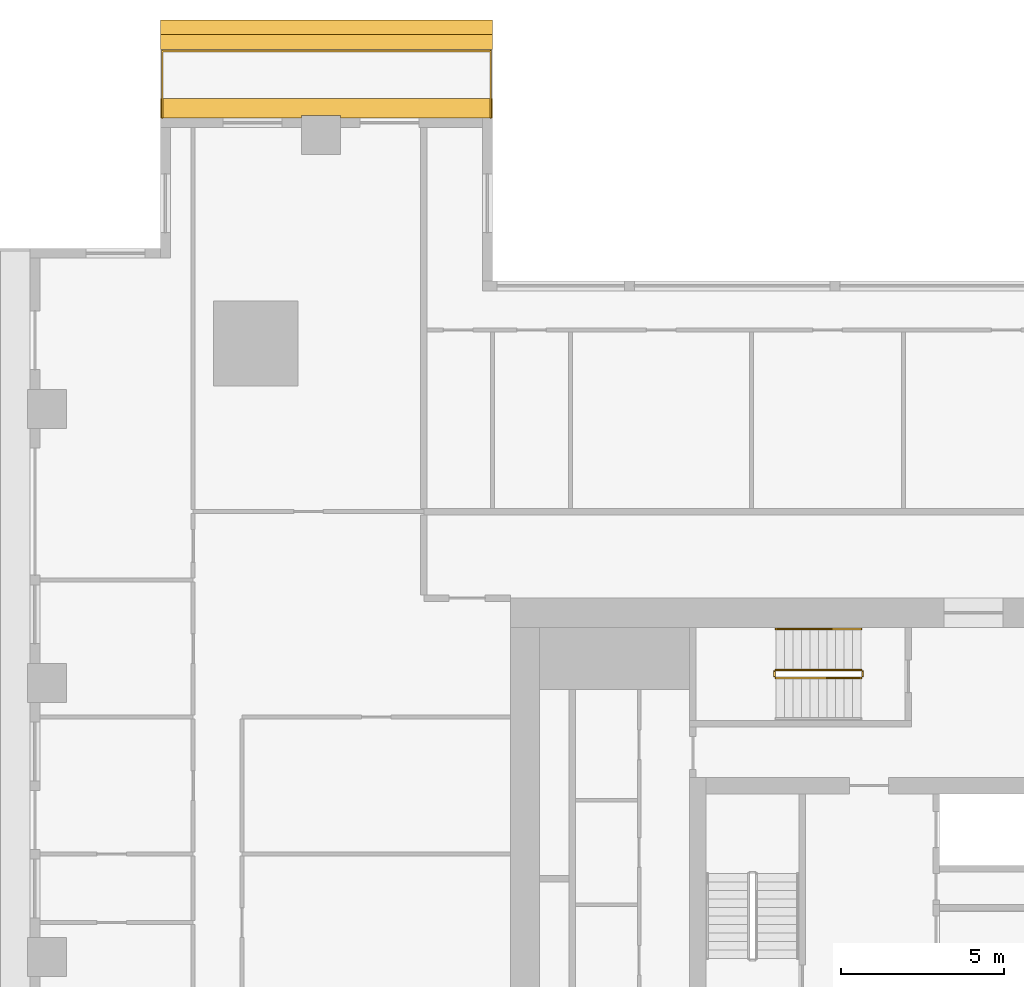
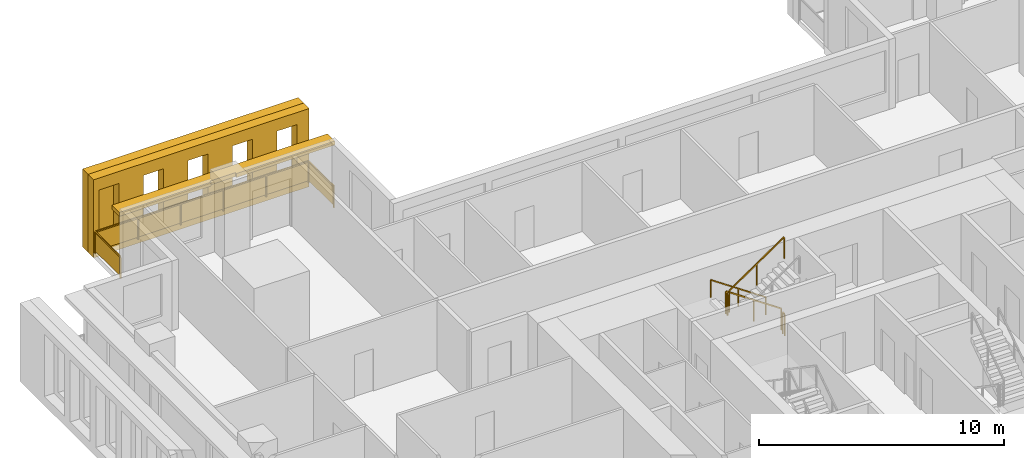
# One storey, part 15 of 16: 6 railings, 3 shading devices.
"""IFC4 building model written with IfcOpenShell, lengths in metres."""

from ifc_helpers import new_model, si_unit, direction, frame, origin, origin_2d, place, context, subcontext, project, spatial, polyline, rectangle, outline, extrude, material, layer, layer_set, type_object, element, save


model = new_model("IFC4")

# Units and contexts
model_context = context("Model", 3, precision=1e-05, world=origin(), true_north=direction((0.0, 1.0)))
body_context = subcontext(model_context, "Body", "Model", "MODEL_VIEW")
ifc_project = project(units=[si_unit("LENGTHUNIT", "METRE"), si_unit("AREAUNIT", "SQUARE_METRE"), si_unit("VOLUMEUNIT", "CUBIC_METRE"), si_unit("PLANEANGLEUNIT", "RADIAN"), si_unit("MASSUNIT", "GRAM", prefix="KILO")], contexts=[model_context])

# Site, building, storey
site_placement = place(None, origin())
site = spatial("IfcSite", under=ifc_project, at=site_placement, CompositionType="ELEMENT")
building_placement = place(site_placement, origin())
building = spatial("IfcBuilding", under=site, at=building_placement, Name="Khepri Terraces", CompositionType="ELEMENT")
storey_placement = place(building_placement, frame((0.0, 0.0, 168.89990234375)))
storey = spatial("IfcBuildingStorey", under=building, at=storey_placement, Name="L40", CompositionType="ELEMENT", Elevation=168.89990234375)

# Railings
ifc_material_1 = material(Name="Stainless steel grade 316", Category="steel")
railing_type_1 = type_object("IfcRailingType", Name="GRD-BAL-1100", PredefinedType="GUARDRAIL", material=ifc_material_1)
railing_1_placement = place(storey_placement, frame((-11.60009765625, 25.719970703125, 0.0)))
element("IfcRailing", 1, at=railing_1_placement, inside=storey, type_object=railing_type_1, Name="Balcony guard L40 N", PredefinedType="GUARDRAIL", context=body_context, shape_type="SweptSolid", body=[
    extrude(rectangle(XDim=0.050048828125, YDim=0.06005859375, at=origin_2d()), frame((0.0, 0.0, 1.070068359375), z_axis=(0.0, 1.0, 0.0), x_axis=(-1.0, 0.0, 0.0)), (0.0, 0.0, 1.0), 2.050048828125),
    extrude(rectangle(XDim=2.0, YDim=0.011962890625, at=origin_2d()), frame((0.0, 1.02490234375, 0.10009765625), z_axis=(0.0, 0.0, 1.0), x_axis=(0.0, 1.0, 0.0)), (0.0, 0.0, 1.0), 0.93994140625),
    extrude(rectangle(XDim=0.050048828125, YDim=0.06005859375, at=origin_2d()), frame((0.0, 2.050048828125, 1.070068359375), z_axis=(-1.0, 0.0, 0.0), x_axis=(0.0, -1.0, 0.0)), (0.0, 0.0, 1.0), 10.06982421875),
    extrude(rectangle(XDim=1.9638671875, YDim=0.011962890625, at=origin_2d()), frame((-1.007080078125, 2.050048828125, 0.10009765625), z_axis=(0.0, 0.0, 1.0), x_axis=(-1.0, 0.0, 0.0)), (0.0, 0.0, 1.0), 0.93994140625),
    extrude(rectangle(XDim=1.9638671875, YDim=0.011962890625, at=origin_2d()), frame((-3.02099609375, 2.050048828125, 0.10009765625), z_axis=(0.0, 0.0, 1.0), x_axis=(-1.0, 0.0, 0.0)), (0.0, 0.0, 1.0), 0.93994140625),
    extrude(rectangle(XDim=1.9638671875, YDim=0.011962890625, at=origin_2d()), frame((-5.034912109375, 2.050048828125, 0.10009765625), z_axis=(0.0, 0.0, 1.0), x_axis=(-1.0, 0.0, 0.0)), (0.0, 0.0, 1.0), 0.93994140625),
    extrude(rectangle(XDim=1.9638671875, YDim=0.011962890625, at=origin_2d()), frame((-7.048828125, 2.050048828125, 0.10009765625), z_axis=(0.0, 0.0, 1.0), x_axis=(-1.0, 0.0, 0.0)), (0.0, 0.0, 1.0), 0.93994140625),
    extrude(rectangle(XDim=1.9638671875, YDim=0.011962890625, at=origin_2d()), frame((-9.062744140625, 2.050048828125, 0.10009765625), z_axis=(0.0, 0.0, 1.0), x_axis=(-1.0, 0.0, 0.0)), (0.0, 0.0, 1.0), 0.93994140625),
    extrude(rectangle(XDim=0.050048828125, YDim=0.06005859375, at=origin_2d()), frame((-10.06982421875, 2.050048828125, 1.070068359375), z_axis=(0.0, -1.0, 0.0), x_axis=(1.0, 0.0, 0.0)), (0.0, 0.0, 1.0), 2.050048828125),
    extrude(rectangle(XDim=2.0, YDim=0.011962890625, at=origin_2d()), frame((-10.06982421875, 1.02490234375, 0.10009765625), z_axis=(0.0, 0.0, 1.0), x_axis=(0.0, -1.0, 0.0)), (0.0, 0.0, 1.0), 0.93994140625),
    extrude(rectangle(XDim=0.050048828125, YDim=0.050048828125, at=origin_2d()), origin(), (0.0, 0.0, 1.0), 1.0400390625),
    extrude(rectangle(XDim=0.050048828125, YDim=0.050048828125, at=origin_2d()), frame((0.0, 2.050048828125, 0.0)), (0.0, 0.0, 1.0), 1.0400390625),
    extrude(rectangle(XDim=0.050048828125, YDim=0.050048828125, at=origin_2d()), frame((-2.013916015625, 2.050048828125, 0.0)), (0.0, 0.0, 1.0), 1.0400390625),
    extrude(rectangle(XDim=0.050048828125, YDim=0.050048828125, at=origin_2d()), frame((-4.02783203125, 2.050048828125, 0.0)), (0.0, 0.0, 1.0), 1.0400390625),
    extrude(rectangle(XDim=0.050048828125, YDim=0.050048828125, at=origin_2d()), frame((-6.0419921875, 2.050048828125, 0.0)), (0.0, 0.0, 1.0), 1.0400390625),
    extrude(rectangle(XDim=0.050048828125, YDim=0.050048828125, at=origin_2d()), frame((-8.055908203125, 2.050048828125, 0.0)), (0.0, 0.0, 1.0), 1.0400390625),
    extrude(rectangle(XDim=0.050048828125, YDim=0.050048828125, at=origin_2d()), frame((-10.06982421875, 2.050048828125, 0.0)), (0.0, 0.0, 1.0), 1.0400390625),
    extrude(rectangle(XDim=0.050048828125, YDim=0.050048828125, at=origin_2d()), frame((-10.06982421875, 0.0, 0.0)), (0.0, 0.0, 1.0), 1.0400390625),
])
ifc_material_2 = material(Name="Stainless steel 316", Category="steel")
railing_type_2 = type_object("IfcRailingType", Name="RL-CORE-GUARD", PredefinedType="GUARDRAIL", material=ifc_material_2)
railing_2_placement = place(storey_placement, frame((-0.25, 8.800048828125, 0.177490234375)))
element("IfcRailing", 2, at=railing_2_placement, inside=storey, type_object=railing_type_2, Name="L40 ST-3 stair guard 1", PredefinedType="GUARDRAIL", context=body_context, shape_type="SweptSolid", body=[
    extrude(rectangle(XDim=0.050048828125, YDim=0.06005859375, at=origin_2d()), frame((0.0, 0.0, 1.070068359375), z_axis=(-0.826240473404, 0.0, 0.563317565952), x_axis=(0.0, -1.0, 0.0)), (0.0, 0.0, 1.0), 3.14697265625),
    extrude(rectangle(XDim=0.050048828125, YDim=0.050048828125, at=origin_2d()), origin(), (0.0, 0.0, 1.0), 1.0400390625),
    extrude(rectangle(XDim=0.050048828125, YDim=0.050048828125, at=origin_2d()), frame((-1.300048828125, 0.0, 0.88623046875)), (0.0, 0.0, 1.0), 1.0400390625),
    extrude(rectangle(XDim=0.050048828125, YDim=0.050048828125, at=origin_2d()), frame((-2.60009765625, 0.0, 1.772705078125)), (0.0, 0.0, 1.0), 1.0400390625),
])
railing_3_placement = place(storey_placement, frame((-2.89990234375, 8.75, 1.9501953125)))
element("IfcRailing", 3, at=railing_3_placement, inside=storey, type_object=railing_type_2, Name="L40 ST-3 stair guard 2", PredefinedType="GUARDRAIL", context=body_context, shape_type="SweptSolid", body=[
    extrude(rectangle(XDim=0.050048828125, YDim=0.06005859375, at=origin_2d()), frame((0.0, 0.0, 1.070068359375), z_axis=(0.0, -1.0, 0.0), x_axis=(1.0, 0.0, 0.0)), (0.0, 0.0, 1.0), 0.14990234375),
    extrude(rectangle(XDim=0.050048828125, YDim=0.050048828125, at=origin_2d()), origin(), (0.0, 0.0, 1.0), 1.0400390625),
    extrude(rectangle(XDim=0.050048828125, YDim=0.050048828125, at=origin_2d()), frame((0.0, -0.14990234375, 0.0)), (0.0, 0.0, 1.0), 1.0400390625),
])
railing_4_placement = place(storey_placement, frame((-2.85009765625, 8.550048828125, 2.12744140625)))
element("IfcRailing", 4, at=railing_4_placement, inside=storey, type_object=railing_type_2, Name="L40 ST-3 stair guard 3", PredefinedType="GUARDRAIL", context=body_context, shape_type="SweptSolid", body=[
    extrude(rectangle(XDim=0.050048828125, YDim=0.06005859375, at=origin_2d()), frame((0.0, 0.0, 1.070068359375), z_axis=(0.826240473404, 0.0, 0.563317565952), x_axis=(0.0, 1.0, 0.0)), (0.0, 0.0, 1.0), 3.14697265625),
    extrude(rectangle(XDim=0.050048828125, YDim=0.050048828125, at=origin_2d()), origin(), (0.0, 0.0, 1.0), 1.0400390625),
    extrude(rectangle(XDim=0.050048828125, YDim=0.050048828125, at=origin_2d()), frame((1.300048828125, 0.0, 0.88623046875)), (0.0, 0.0, 1.0), 1.0400390625),
    extrude(rectangle(XDim=0.050048828125, YDim=0.050048828125, at=origin_2d()), frame((2.60009765625, 0.0, 1.772705078125)), (0.0, 0.0, 1.0), 1.0400390625),
])
railing_5_placement = place(storey_placement, frame((-0.199951171875, 8.75, 0.0)))
element("IfcRailing", 5, at=railing_5_placement, inside=storey, type_object=railing_type_2, Name="L40 ST-3 stair guard 4", PredefinedType="GUARDRAIL", context=body_context, shape_type="SweptSolid", body=[
    extrude(rectangle(XDim=0.050048828125, YDim=0.06005859375, at=origin_2d()), frame((0.0, 0.0, 1.070068359375), z_axis=(0.0, -1.0, 0.0), x_axis=(1.0, 0.0, 0.0)), (0.0, 0.0, 1.0), 0.14990234375),
    extrude(rectangle(XDim=0.050048828125, YDim=0.050048828125, at=origin_2d()), origin(), (0.0, 0.0, 1.0), 1.0400390625),
    extrude(rectangle(XDim=0.050048828125, YDim=0.050048828125, at=origin_2d()), frame((0.0, -0.14990234375, 0.0)), (0.0, 0.0, 1.0), 1.0400390625),
])
railing_type_3 = type_object("IfcRailingType", Name="RL-CORE-HANDRAIL", PredefinedType="HANDRAIL", material=ifc_material_2)
railing_6_placement = place(storey_placement, frame((-0.25, 10.050048828125, 0.177490234375)))
element("IfcRailing", 6, at=railing_6_placement, inside=storey, type_object=railing_type_3, Name="L40 ST-3 stair handrail 1", PredefinedType="HANDRAIL", context=body_context, shape_type="SweptSolid", body=[
    extrude(rectangle(XDim=0.050048828125, YDim=0.050048828125, at=origin_2d()), frame((0.0, 0.0, 0.875), z_axis=(-0.826240473404, 0.0, 0.563317565952), x_axis=(0.0, -1.0, 0.0)), (0.0, 0.0, 1.0), 3.14697265625),
    extrude(rectangle(XDim=0.050048828125, YDim=0.050048828125, at=origin_2d()), origin(), (0.0, 0.0, 1.0), 0.849853515625),
    extrude(rectangle(XDim=0.050048828125, YDim=0.050048828125, at=origin_2d()), frame((-1.300048828125, 0.0, 0.88623046875)), (0.0, 0.0, 1.0), 0.849853515625),
    extrude(rectangle(XDim=0.050048828125, YDim=0.050048828125, at=origin_2d()), frame((-2.60009765625, 0.0, 1.772705078125)), (0.0, 0.0, 1.0), 0.849853515625),
])

# Shading devices
ifc_material_3 = material(Name="Precast concrete C50/60 warm stone", Category="masonry")
shading_device_type_1 = type_object("IfcShadingDeviceType", Name="SCR-CELL-INNER-450", PredefinedType="USERDEFINED", material=ifc_material_3)
shading_device_1_placement = place(storey_placement, frame((-11.550048828125, 27.820068359375, -0.25), z_axis=(0.0, 1.0, 0.0), x_axis=(-1.0, 0.0, 0.0)))
element("IfcShadingDevice", 7, at=shading_device_1_placement, inside=storey, type_object=shading_device_type_1, Name="Cell screen L40 N in", ObjectType="SCREEN", PredefinedType="USERDEFINED", context=body_context, shape_type="SweptSolid", body=[
    extrude(outline(polyline([(0.0, 0.0), (10.169921875, 0.0), (10.169921875, 3.89990234375), (0.0, 3.89990234375), (0.0, 0.0)]), holes=[polyline([(0.577392578125, 0.699951171875), (1.5224609375, 0.699951171875), (1.5224609375, 3.300048828125), (0.577392578125, 3.300048828125), (0.577392578125, 0.699951171875)]), polyline([(2.677490234375, 0.699951171875), (3.62255859375, 0.699951171875), (3.62255859375, 3.300048828125), (2.677490234375, 3.300048828125), (2.677490234375, 0.699951171875)]), polyline([(4.777587890625, 0.699951171875), (5.722412109375, 0.699951171875), (5.722412109375, 3.300048828125), (4.777587890625, 3.300048828125), (4.777587890625, 0.699951171875)]), polyline([(6.87744140625, 0.699951171875), (7.822509765625, 0.699951171875), (7.822509765625, 3.300048828125), (6.87744140625, 3.300048828125), (6.87744140625, 0.699951171875)]), polyline([(8.9775390625, 0.699951171875), (9.922607421875, 0.699951171875), (9.922607421875, 3.300048828125), (8.9775390625, 3.300048828125), (8.9775390625, 0.699951171875)])]), origin(), (0.0, 0.0, 1.0), 0.449951171875),
])
shading_device_type_2 = type_object("IfcShadingDeviceType", Name="SCR-CELL-OUTER-450", PredefinedType="USERDEFINED", material=ifc_material_3)
shading_device_2_placement = place(storey_placement, frame((-11.550048828125, 28.27001953125, -0.25), z_axis=(0.0, 1.0, 0.0), x_axis=(-1.0, 0.0, 0.0)))
element("IfcShadingDevice", 8, at=shading_device_2_placement, inside=storey, type_object=shading_device_type_2, Name="Cell screen L40 N out", ObjectType="SCREEN", PredefinedType="USERDEFINED", context=body_context, shape_type="SweptSolid", body=[
    extrude(outline(polyline([(0.0, 0.0), (10.169921875, 0.0), (10.169921875, 3.89990234375), (0.0, 3.89990234375), (0.0, 0.0)]), holes=[polyline([(0.2275390625, 0.449951171875), (1.87255859375, 0.449951171875), (1.87255859375, 3.550048828125), (0.2275390625, 3.550048828125), (0.2275390625, 0.449951171875)]), polyline([(2.327392578125, 0.449951171875), (3.972412109375, 0.449951171875), (3.972412109375, 3.550048828125), (2.327392578125, 3.550048828125), (2.327392578125, 0.449951171875)]), polyline([(4.427490234375, 0.449951171875), (6.072509765625, 0.449951171875), (6.072509765625, 3.550048828125), (4.427490234375, 3.550048828125), (4.427490234375, 0.449951171875)]), polyline([(6.527587890625, 0.449951171875), (8.172607421875, 0.449951171875), (8.172607421875, 3.550048828125), (6.527587890625, 3.550048828125), (6.527587890625, 0.449951171875)])]), origin(), (0.0, 0.0, 1.0), 0.449951171875),
])
ifc_layer = layer(ifc_material_3, 0.199951171875, Name="Precast concrete C50/60 warm stone", Category="masonry")
ifc_layer_set = layer_set([ifc_layer], Name="Precast concrete C50/60 warm stone")
shading_device_type_3 = type_object("IfcShadingDeviceType", Name="SSH-BAND-STONE-200-N", PredefinedType="USERDEFINED", material=ifc_layer_set)
shading_device_3_placement = place(storey_placement, frame((0.0, 0.0, 3.10009765625)))
element("IfcShadingDevice", 9, at=shading_device_3_placement, inside=storey, type_object=shading_device_type_3, Name="Sunshade band L40 N", ObjectType="SUNSHADE", PredefinedType="USERDEFINED", context=body_context, shape_type="SweptSolid", body=[
    extrude(outline(polyline([(-16.199951171875, 25.719970703125), (-11.550048828125, 25.719970703125), (-11.550048828125, 26.320068359375), (-21.719970703125, 26.320068359375), (-21.719970703125, 25.719970703125), (-17.39990234375, 25.719970703125), (-17.39990234375, 25.800048828125), (-16.199951171875, 25.800048828125), (-16.199951171875, 25.719970703125)])), origin(), (0.0, 0.0, 1.0), 0.199951171875),
])

save(model, "model.ifc")
